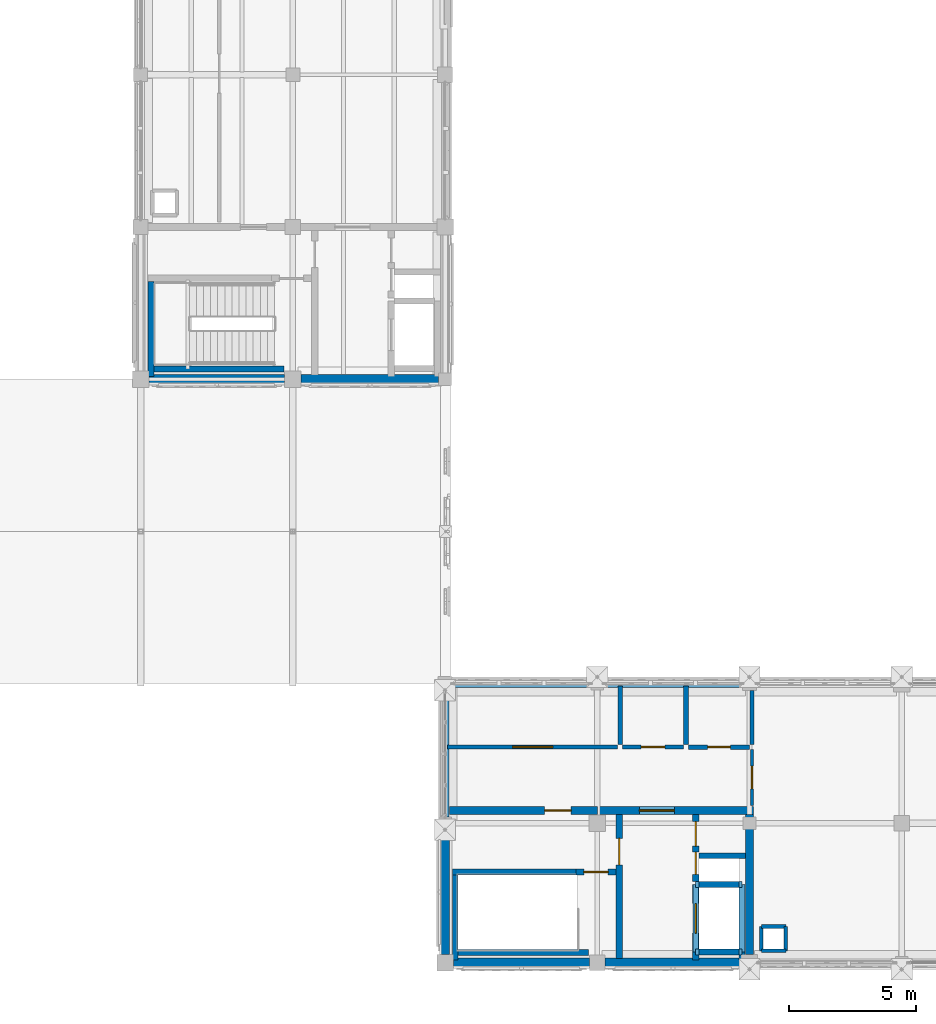
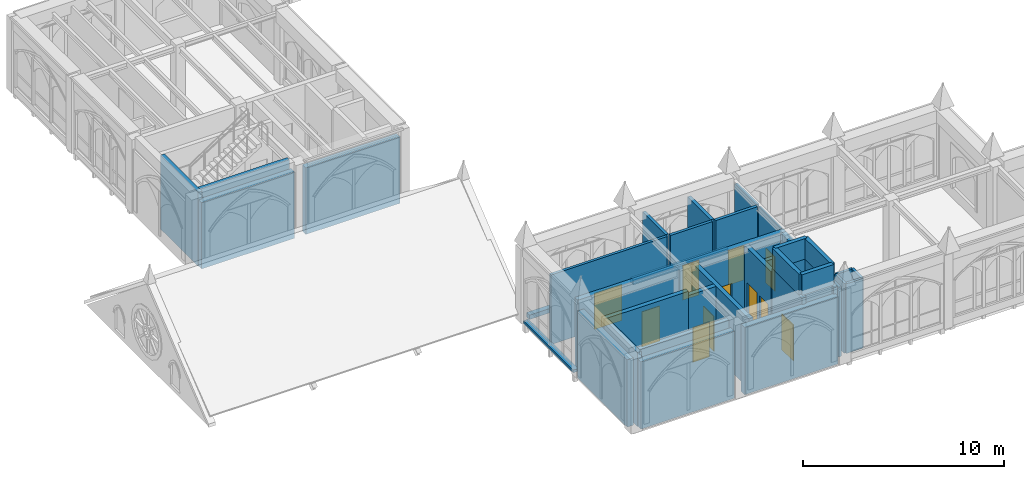
# One storey, part 101 of 143: 39 walls, 11 doors, 11 openings.
"""IFC4 building model written with IfcOpenShell, lengths in metres."""

from ifc_helpers import new_model, si_unit, direction, frame, frame_2d, origin, place, context, subcontext, project, spatial, rectangle, extrude, material, layer, layer_set, type_object, element, fill, save


model = new_model("IFC4")

# Units and contexts
model_context = context("Model", 3, precision=1e-05, world=origin(), true_north=direction((0.0, 1.0)))
body_context = subcontext(model_context, "Body", "Model", "MODEL_VIEW")
ifc_project = project(units=[si_unit("LENGTHUNIT", "METRE"), si_unit("AREAUNIT", "SQUARE_METRE"), si_unit("VOLUMEUNIT", "CUBIC_METRE"), si_unit("PLANEANGLEUNIT", "RADIAN"), si_unit("MASSUNIT", "GRAM", prefix="KILO")], contexts=[model_context])

# Site, building, storey
site_placement = place(None, origin())
site = spatial("IfcSite", under=ifc_project, at=site_placement, CompositionType="ELEMENT")
building_placement = place(site_placement, origin())
building = spatial("IfcBuilding", under=site, at=building_placement, Name="Cumevento Cable Car Station", CompositionType="ELEMENT")
storey_placement = place(building_placement, frame((0.0, 0.0, 9.0)))
storey = spatial("IfcBuildingStorey", under=building, at=storey_placement, Name="L03", CompositionType="ELEMENT", Elevation=9.0)

# Walls
ifc_material_1 = material(Name="Gnaisse Facoidal Stone Ashlar 85 MPa", Category="masonry")
ifc_layer_1 = layer(ifc_material_1, 0.294921875)
ifc_layer_set_1 = layer_set([ifc_layer_1], Name="Gnaisse Facoidal Stone Ashlar 85 MPa")
wall_type_1 = type_object("IfcWallType", Name="Exterior Envelope Wall EW-295 295", PredefinedType="SOLIDWALL", material=ifc_layer_set_1)
wall_1_placement = place(storey_placement, frame((22.27490234375, 15.0, 0.0), z_axis=(0.0, 0.0, 1.0), x_axis=(1.0, 0.0, 0.0)))
element("IfcWall", 1, at=wall_1_placement, inside=storey, type_object=wall_type_1, Name="Exterior Sill Curb Wall EW-295 L03 #180", PredefinedType="SOLIDWALL", context=body_context, shape_type="SweptSolid", body=[
    extrude(rectangle(XDim=5.47509765625, YDim=0.294921875, at=frame_2d((2.737548828125, 0.0))), origin(), (0.0, 0.0, 1.0), 0.260009765625),
])
wall_2_placement = place(storey_placement, frame((28.25, 15.0, 0.0), z_axis=(0.0, 0.0, 1.0), x_axis=(1.0, 0.0, 0.0)))
element("IfcWall", 2, at=wall_2_placement, inside=storey, type_object=wall_type_1, Name="Exterior Sill Curb Wall EW-295 L03 #182", PredefinedType="SOLIDWALL", context=body_context, shape_type="SweptSolid", body=[
    extrude(rectangle(XDim=5.47509765625, YDim=0.294921875, at=frame_2d((2.737548828125, 0.0))), origin(), (0.0, 0.0, 1.0), 0.31005859375),
])
wall_3_placement = place(storey_placement, frame((22.0, 9.75, 0.0), z_axis=(0.0, 0.0, 1.0), x_axis=(0.0, 1.0, 0.0)))
element("IfcWall", 3, at=wall_3_placement, inside=storey, type_object=wall_type_1, Name="Exterior Sill Curb Wall EW-295 L03 #188", PredefinedType="SOLIDWALL", context=body_context, shape_type="SweptSolid", body=[
    extrude(rectangle(XDim=4.97509765625, YDim=0.294921875, at=frame_2d((2.487548828125, 0.0))), origin(), (0.0, 0.0, 1.0), 0.159912109375),
])
ifc_material_2 = material(Name="Concrete C40/50", Category="concrete")
ifc_layer_2 = layer(ifc_material_2, 0.35498046875)
ifc_layer_set_2 = layer_set([ifc_layer_2], Name="Concrete C40/50")
wall_type_2 = type_object("IfcWallType", Name="Exterior Envelope Wall EW-355 355", PredefinedType="SOLIDWALL", material=ifc_layer_set_2)
for number, where, z_axis, x_axis, name in (
    (4, (27.699951171875, 4.0, 0.0), (0.0, 0.0, 1.0), (-1.0, 0.0, 0.0), "Exterior Wall EW-355 L03 #179"),
    (5, (33.675048828125, 4.0, 0.0), (0.0, 0.0, 1.0), (-1.0, 0.0, 0.0), "Exterior Wall EW-355 L03 #181"),
):
    element("IfcWall", number, at=place(storey_placement, frame(where, z_axis=z_axis, x_axis=x_axis)), inside=storey, type_object=wall_type_2, Name=name, PredefinedType="SOLIDWALL", context=body_context, shape_type="SweptSolid", body=[
        extrude(rectangle(XDim=5.375, YDim=0.35498046875, at=frame_2d((2.6875, 0.0))), origin(), (0.0, 0.0, 1.0), 4.093017578125),
    ])
wall_4_placement = place(storey_placement, frame((22.0, 4.324951171875, 0.0), z_axis=(0.0, 0.0, 1.0), x_axis=(0.0, 1.0, 0.0)))
element("IfcWall", 6, at=wall_4_placement, inside=storey, type_object=wall_type_2, Name="Exterior Wall EW-355 L03 #187", PredefinedType="SOLIDWALL", context=body_context, shape_type="SweptSolid", body=[
    extrude(rectangle(XDim=4.925048828125, YDim=0.35498046875, at=frame_2d((2.46240234375, 0.0))), origin(), (0.0, 0.0, 1.0), 4.093017578125),
])
wall_5_placement = place(storey_placement, frame((15.675048828125, 27.0, 0.0), z_axis=(0.0, 0.0, 1.0), x_axis=(-1.0, 0.0, 0.0)))
element("IfcWall", 7, at=wall_5_placement, inside=storey, type_object=wall_type_2, Name="Exterior Wall EW-355 L03 #215", PredefinedType="SOLIDWALL", context=body_context, shape_type="SweptSolid", body=[
    extrude(rectangle(XDim=5.35009765625, YDim=0.35498046875, at=frame_2d((2.675048828125, 0.0))), origin(), (0.0, 0.0, 1.0), 4.033935546875),
])
wall_6_placement = place(storey_placement, frame((21.75, 27.0, 0.0), z_axis=(0.0, 0.0, 1.0), x_axis=(-1.0, 0.0, 0.0)))
element("IfcWall", 8, at=wall_6_placement, inside=storey, type_object=wall_type_2, Name="Exterior Wall EW-355 L03 #216", PredefinedType="SOLIDWALL", context=body_context, shape_type="SweptSolid", body=[
    extrude(rectangle(XDim=5.425048828125, YDim=0.35498046875, at=frame_2d((2.71240234375, 0.0))), origin(), (0.0, 0.0, 1.0), 4.048095703125),
])

# Wall, opening, door
ifc_material_3 = material(Name="Gypsum Board & Insulated Stud Partition", Category="gypsum")
ifc_layer_3 = layer(ifc_material_3, 0.135009765625)
ifc_layer_set_3 = layer_set([ifc_layer_3], Name="Gypsum Board & Insulated Stud Partition")
wall_type_3 = type_object("IfcWallType", Name="Interior Partition PT-135 135", PredefinedType="PARTITIONING", material=ifc_layer_set_3)
wall_7_placement = place(storey_placement, frame((34.10009765625, 10.199951171875, 0.0), z_axis=(0.0, 0.0, 1.0), x_axis=(0.0, 1.0, 0.0)))
wall_7 = element("IfcWall", 9, at=wall_7_placement, inside=storey, type_object=wall_type_3, Name="Interior Wall PT-135 L03 #627", PredefinedType="PARTITIONING", context=body_context, shape_type="SweptSolid", body=[
    extrude(rectangle(XDim=2.199951171875, YDim=0.135009765625, at=frame_2d((1.10009765625, 0.0))), origin(), (0.0, 0.0, 1.0), 4.239990234375),
])
opening_1_placement = place(wall_7_placement, frame((0.64990234375, 0.0, 0.0)))
opening_1 = element("IfcOpeningElement", 10, at=opening_1_placement, cuts=wall_7, Name="Opening DR-L03-231", PredefinedType="OPENING", context=body_context, shape_type="SweptSolid", body=[
    extrude(rectangle(XDim=0.89990234375, YDim=2.10009765625, at=frame_2d((0.449951171875, 1.050048828125))), frame((0.0, 0.077392578125, 0.0), z_axis=(0.0, -1.0, 0.0), x_axis=(1.0, 0.0, 0.0)), (0.0, 0.0, 1.0), 0.155029296875),
])
ifc_material_4 = material(Name="Hardwood Ipe Timber Door Leaf", Category="wood")
door_type_1 = type_object("IfcDoorType", Name="Interior Door ID-02 900x2100", OperationType="NOTDEFINED", PredefinedType="DOOR", material=ifc_material_4)
door_1_placement = place(opening_1_placement, origin())
door_1 = element("IfcDoor", 11, at=door_1_placement, inside=storey, type_object=door_type_1, Name="Interior Door DR-L03-231 (ID-02)", OperationType="SINGLE_SWING_LEFT", OverallHeight=2.10009765625, OverallWidth=0.89990234375, PredefinedType="DOOR", context=body_context, shape_type="SweptSolid", body=[
    extrude(rectangle(XDim=0.89990234375, YDim=2.10009765625, at=frame_2d((0.449951171875, 1.050048828125))), frame((0.0, 0.02490234375, 0.0), z_axis=(0.0, -1.0, 0.0), x_axis=(1.0, 0.0, 0.0)), (0.0, 0.0, 1.0), 0.050048828125),
])
fill(opening_1, door_1)

# Walls
ifc_material_5 = material(Name="Gypsum Board & Insulated Stud Partition", Category="gypsum")
ifc_layer_4 = layer(ifc_material_5, 0.14501953125)
ifc_layer_set_4 = layer_set([ifc_layer_4], Name="Gypsum Board & Insulated Stud Partition")
wall_type_4 = type_object("IfcWallType", Name="Interior Partition PT-145 145", PredefinedType="PARTITIONING", material=ifc_layer_set_4)
for number, where, z_axis, x_axis, name in (
    (12, (34.469970703125, 4.469970703125, 0.0), (0.0, 0.0, 1.0), (1.0, 0.0, 0.0), "Interior Wall PT-145 L03 #5"),
    (13, (35.429931640625, 4.469970703125, 0.0), (0.0, 0.0, 1.0), (0.0, 1.0, 0.0), "Interior Wall PT-145 L03 #6"),
    (14, (35.429931640625, 5.429931640625, 0.0), (0.0, 0.0, 1.0), (-1.0, 0.0, 0.0), "Interior Wall PT-145 L03 #7"),
    (15, (34.469970703125, 5.429931640625, 0.0), (0.0, 0.0, 1.0), (0.0, -1.0, 0.0), "Interior Wall PT-145 L03 #8"),
):
    element("IfcWall", number, at=place(storey_placement, frame(where, z_axis=z_axis, x_axis=x_axis)), inside=storey, type_object=wall_type_4, Name=name, PredefinedType="PARTITIONING", context=body_context, shape_type="SweptSolid", body=[
        extrude(rectangle(XDim=0.9599609375, YDim=0.14501953125, at=frame_2d((0.47998046875, 0.0))), origin(), (0.0, 0.0, 1.0), 4.239990234375),
    ])

# Wall, opening, door
ifc_material_6 = material(Name="Gypsum Board & Insulated Stud Partition", Category="gypsum")
ifc_layer_5 = layer(ifc_material_6, 0.155029296875)
ifc_layer_set_5 = layer_set([ifc_layer_5], Name="Gypsum Board & Insulated Stud Partition")
wall_type_5 = type_object("IfcWallType", Name="Interior Partition PT-155 155", PredefinedType="PARTITIONING", material=ifc_layer_set_5)
wall_8_placement = place(storey_placement, frame((22.10595703125, 12.5, 0.0), z_axis=(0.0, 0.0, 1.0), x_axis=(1.0, 0.0, 0.0)))
wall_8 = element("IfcWall", 16, at=wall_8_placement, inside=storey, type_object=wall_type_5, Name="Interior Wall PT-155 L03 #630", PredefinedType="PARTITIONING", context=body_context, shape_type="SweptSolid", body=[
    extrude(rectangle(XDim=6.694091796875, YDim=0.155029296875, at=frame_2d((3.34716796875, 0.0))), origin(), (0.0, 0.0, 1.0), 4.239990234375),
])
opening_2_placement = place(wall_8_placement, frame((2.556884765625, 0.0, 0.0)))
opening_2 = element("IfcOpeningElement", 17, at=opening_2_placement, cuts=wall_8, Name="Opening DR-L03-233", PredefinedType="OPENING", context=body_context, shape_type="SweptSolid", body=[
    extrude(rectangle(XDim=1.580078125, YDim=2.199951171875, at=frame_2d((0.7900390625, 1.10009765625))), frame((0.0, 0.087646484375, 0.0), z_axis=(0.0, -1.0, 0.0), x_axis=(1.0, 0.0, 0.0)), (0.0, 0.0, 1.0), 0.175048828125),
])
ifc_material_7 = material(Name="Galvanised Painted Steel Fire Door", Category="steel")
door_type_2 = type_object("IfcDoorType", Name="Interior Door FD-06 1580x2200", OperationType="NOTDEFINED", PredefinedType="DOOR", material=ifc_material_7)
door_2_placement = place(opening_2_placement, origin())
door_2 = element("IfcDoor", 18, at=door_2_placement, inside=storey, type_object=door_type_2, Name="Interior Door DR-L03-233 (FD-06)", OperationType="DOUBLE_DOOR_SINGLE_SWING", OverallHeight=2.199951171875, OverallWidth=1.580078125, PredefinedType="DOOR", context=body_context, shape_type="SweptSolid", body=[
    extrude(rectangle(XDim=1.580078125, YDim=2.199951171875, at=frame_2d((0.7900390625, 1.10009765625))), frame((0.0, 0.02490234375, 0.0), z_axis=(0.0, -1.0, 0.0), x_axis=(1.0, 0.0, 0.0)), (0.0, 0.0, 1.0), 0.050048828125),
])
fill(opening_2, door_2)

# Wall
ifc_material_8 = material(Name="Gypsum Board & Insulated Stud Partition", Category="gypsum")
ifc_layer_6 = layer(ifc_material_8, 0.1650390625)
ifc_layer_set_6 = layer_set([ifc_layer_6], Name="Gypsum Board & Insulated Stud Partition")
wall_type_6 = type_object("IfcWallType", Name="Interior Partition PT-165 165", PredefinedType="PARTITIONING", material=ifc_layer_set_6)
wall_9_placement = place(storey_placement, frame((34.10009765625, 12.60009765625, 0.0), z_axis=(0.0, 0.0, 1.0), x_axis=(0.0, 1.0, 0.0)))
element("IfcWall", 19, at=wall_9_placement, inside=storey, type_object=wall_type_6, Name="Interior Wall PT-165 L03 #628", PredefinedType="PARTITIONING", context=body_context, shape_type="SweptSolid", body=[
    extrude(rectangle(XDim=2.122802734375, YDim=0.1650390625, at=frame_2d((1.0615234375, 0.0))), origin(), (0.0, 0.0, 1.0), 4.239990234375),
])

# Wall, opening, door
wall_10_placement = place(storey_placement, frame((29.0, 12.5, 0.0), z_axis=(0.0, 0.0, 1.0), x_axis=(1.0, 0.0, 0.0)))
wall_10 = element("IfcWall", 20, at=wall_10_placement, inside=storey, type_object=wall_type_6, Name="Interior Wall PT-165 L03 #631", PredefinedType="PARTITIONING", context=body_context, shape_type="SweptSolid", body=[
    extrude(rectangle(XDim=2.39990234375, YDim=0.1650390625, at=frame_2d((1.199951171875, 0.0))), origin(), (0.0, 0.0, 1.0), 4.239990234375),
])
opening_3_placement = place(wall_10_placement, frame((0.72998046875, 0.0, 0.0)))
opening_3 = element("IfcOpeningElement", 21, at=opening_3_placement, cuts=wall_10, Name="Opening DR-L03-234", PredefinedType="OPENING", context=body_context, shape_type="SweptSolid", body=[
    extrude(rectangle(XDim=0.93994140625, YDim=2.10009765625, at=frame_2d((0.469970703125, 1.050048828125))), frame((0.0, 0.092529296875, 0.0), z_axis=(0.0, -1.0, 0.0), x_axis=(1.0, 0.0, 0.0)), (0.0, 0.0, 1.0), 0.18505859375),
])
ifc_material_9 = material(Name="Galvanised Painted Steel Fire Door", Category="steel")
door_type_3 = type_object("IfcDoorType", Name="Interior Door FD-08 940x2100", OperationType="NOTDEFINED", PredefinedType="DOOR", material=ifc_material_9)
door_3_placement = place(opening_3_placement, origin())
door_3 = element("IfcDoor", 22, at=door_3_placement, inside=storey, type_object=door_type_3, Name="Interior Door DR-L03-234 (FD-08)", OperationType="SINGLE_SWING_LEFT", OverallHeight=2.10009765625, OverallWidth=0.93994140625, PredefinedType="DOOR", context=body_context, shape_type="SweptSolid", body=[
    extrude(rectangle(XDim=0.93994140625, YDim=2.10009765625, at=frame_2d((0.469970703125, 1.050048828125))), frame((0.0, 0.02490234375, 0.0), z_axis=(0.0, -1.0, 0.0), x_axis=(1.0, 0.0, 0.0)), (0.0, 0.0, 1.0), 0.050048828125),
])
fill(opening_3, door_3)

ifc_material_10 = material(Name="Moisture-Resistant Tile & Stud Partition", Category="gypsum")
ifc_layer_7 = layer(ifc_material_10, 0.175048828125)
ifc_layer_set_7 = layer_set([ifc_layer_7], Name="Moisture-Resistant Tile & Stud Partition")
wall_type_7 = type_object("IfcWallType", Name="Interior Partition PT-175 175", PredefinedType="PARTITIONING", material=ifc_layer_set_7)
wall_11_placement = place(storey_placement, frame((31.60009765625, 12.5, 0.0), z_axis=(0.0, 0.0, 1.0), x_axis=(1.0, 0.0, 0.0)))
wall_11 = element("IfcWall", 23, at=wall_11_placement, inside=storey, type_object=wall_type_7, Name="Interior Wall PT-175 L03 #632", PredefinedType="PARTITIONING", context=body_context, shape_type="SweptSolid", body=[
    extrude(rectangle(XDim=2.39990234375, YDim=0.175048828125, at=frame_2d((1.199951171875, 0.0))), origin(), (0.0, 0.0, 1.0), 4.239990234375),
])
opening_4_placement = place(wall_11_placement, frame((0.75, 0.0, 0.0)))
opening_4 = element("IfcOpeningElement", 24, at=opening_4_placement, cuts=wall_11, Name="Opening DR-L03-235", PredefinedType="OPENING", context=body_context, shape_type="SweptSolid", body=[
    extrude(rectangle(XDim=0.89990234375, YDim=2.10009765625, at=frame_2d((0.449951171875, 1.050048828125))), frame((0.0, 0.097412109375, 0.0), z_axis=(0.0, -1.0, 0.0), x_axis=(1.0, 0.0, 0.0)), (0.0, 0.0, 1.0), 0.195068359375),
])
door_4_placement = place(opening_4_placement, origin())
door_4 = element("IfcDoor", 25, at=door_4_placement, inside=storey, type_object=door_type_1, Name="Interior Door DR-L03-235 (ID-02)", OperationType="SINGLE_SWING_RIGHT", OverallHeight=2.10009765625, OverallWidth=0.89990234375, PredefinedType="DOOR", context=body_context, shape_type="SweptSolid", body=[
    extrude(rectangle(XDim=0.89990234375, YDim=2.10009765625, at=frame_2d((0.449951171875, 1.050048828125))), frame((0.0, 0.02490234375, 0.0), z_axis=(0.0, -1.0, 0.0), x_axis=(1.0, 0.0, 0.0)), (0.0, 0.0, 1.0), 0.050048828125),
])
fill(opening_4, door_4)

# Walls
wall_12_placement = place(storey_placement, frame((28.89990234375, 12.60009765625, 0.0), z_axis=(0.0, 0.0, 1.0), x_axis=(0.0, 1.0, 0.0)))
element("IfcWall", 26, at=wall_12_placement, inside=storey, type_object=wall_type_7, Name="Interior Wall PT-175 L03 #633", PredefinedType="PARTITIONING", context=body_context, shape_type="SweptSolid", body=[
    extrude(rectangle(XDim=2.308837890625, YDim=0.175048828125, at=frame_2d((1.154296875, 0.0))), origin(), (0.0, 0.0, 1.0), 4.239990234375),
])
ifc_material_11 = material(Name="Acoustic Double-Stud Partition", Category="gypsum")
ifc_layer_8 = layer(ifc_material_11, 0.195068359375)
ifc_layer_set_8 = layer_set([ifc_layer_8], Name="Acoustic Double-Stud Partition")
wall_type_8 = type_object("IfcWallType", Name="Interior Partition PT-195 195", PredefinedType="PARTITIONING", material=ifc_layer_set_8)
wall_13_placement = place(storey_placement, frame((31.5, 12.60009765625, 0.0), z_axis=(0.0, 0.0, 1.0), x_axis=(0.0, 1.0, 0.0)))
element("IfcWall", 27, at=wall_13_placement, inside=storey, type_object=wall_type_8, Name="Interior Wall PT-195 L03 #634", PredefinedType="PARTITIONING", context=body_context, shape_type="SweptSolid", body=[
    extrude(rectangle(XDim=2.308837890625, YDim=0.195068359375, at=frame_2d((1.154296875, 0.0))), origin(), (0.0, 0.0, 1.0), 4.239990234375),
])
ifc_material_12 = material(Name="Concrete C40/50", Category="concrete")
ifc_layer_9 = layer(ifc_material_12, 0.22998046875)
ifc_layer_set_9 = layer_set([ifc_layer_9], Name="Concrete C40/50")
wall_type_9 = type_object("IfcWallType", Name="Interior Shear Wall CW-230 230", PredefinedType="SHEAR", material=ifc_layer_set_9)
wall_14_placement = place(storey_placement, frame((31.8798828125, 4.419921875, 4.5), z_axis=(0.0, 0.0, 1.0), x_axis=(1.0, 0.0, 0.0)))
element("IfcWall", 28, at=wall_14_placement, inside=storey, type_object=wall_type_9, Name="Interior Wall CW-230 L03 #217", PredefinedType="SHEAR", context=body_context, shape_type="SweptSolid", body=[
    extrude(rectangle(XDim=1.820068359375, YDim=0.22998046875, at=frame_2d((0.91015625, 0.0))), origin(), (0.0, 0.0, 1.0), 1.25),
])
wall_15_placement = place(storey_placement, frame((33.699951171875, 4.419921875, 4.5), z_axis=(0.0, 0.0, 1.0), x_axis=(0.0, 1.0, 0.0)))
element("IfcWall", 29, at=wall_15_placement, inside=storey, type_object=wall_type_9, Name="Interior Wall CW-230 L03 #218", PredefinedType="SHEAR", context=body_context, shape_type="SweptSolid", body=[
    extrude(rectangle(XDim=2.66015625, YDim=0.22998046875, at=frame_2d((1.330078125, 0.0))), origin(), (0.0, 0.0, 1.0), 1.25),
])
wall_16_placement = place(storey_placement, frame((33.699951171875, 7.080078125, 4.5), z_axis=(0.0, 0.0, 1.0), x_axis=(-1.0, 0.0, 0.0)))
element("IfcWall", 30, at=wall_16_placement, inside=storey, type_object=wall_type_9, Name="Interior Wall CW-230 L03 #219", PredefinedType="SHEAR", context=body_context, shape_type="SweptSolid", body=[
    extrude(rectangle(XDim=1.820068359375, YDim=0.22998046875, at=frame_2d((0.91015625, 0.0))), origin(), (0.0, 0.0, 1.0), 1.25),
])
wall_17_placement = place(storey_placement, frame((31.8798828125, 7.080078125, 4.5), z_axis=(0.0, 0.0, 1.0), x_axis=(0.0, -1.0, 0.0)))
element("IfcWall", 31, at=wall_17_placement, inside=storey, type_object=wall_type_9, Name="Interior Wall CW-230 L03 #220", PredefinedType="SHEAR", context=body_context, shape_type="SweptSolid", body=[
    extrude(rectangle(XDim=2.66015625, YDim=0.22998046875, at=frame_2d((1.330078125, 0.0))), origin(), (0.0, 0.0, 1.0), 1.25),
])
wall_18_placement = place(storey_placement, frame((22.405029296875, 4.114990234375, 0.0), z_axis=(0.0, 0.0, 1.0), x_axis=(0.0, 1.0, 0.0)))
element("IfcWall", 32, at=wall_18_placement, inside=storey, type_object=wall_type_9, Name="Interior Wall CW-230 L03 #252", PredefinedType="SHEAR", context=body_context, shape_type="SweptSolid", body=[
    extrude(rectangle(XDim=3.3349609375, YDim=0.22998046875, at=frame_2d((1.66748046875, 0.0))), origin(), (0.0, 0.0, 1.0), 4.5),
])
wall_19_placement = place(storey_placement, frame((22.52001953125, 4.405029296875, 0.0), z_axis=(0.0, 0.0, 1.0), x_axis=(1.0, 0.0, 0.0)))
element("IfcWall", 33, at=wall_19_placement, inside=storey, type_object=wall_type_9, Name="Interior Wall CW-230 L03 #253", PredefinedType="SHEAR", context=body_context, shape_type="SweptSolid", body=[
    extrude(rectangle(XDim=5.1298828125, YDim=0.22998046875, at=frame_2d((2.56494140625, 0.0))), origin(), (0.0, 0.0, 1.0), 4.5),
])
wall_20_placement = place(storey_placement, frame((32.0048828125, 4.419921875, 0.0), z_axis=(0.0, 0.0, 1.0), x_axis=(1.0, 0.0, 0.0)))
element("IfcWall", 34, at=wall_20_placement, inside=storey, type_object=wall_type_9, Name="Interior Wall CW-230 L03 #258", PredefinedType="SHEAR", context=body_context, shape_type="SweptSolid", body=[
    extrude(rectangle(XDim=1.580078125, YDim=0.22998046875, at=frame_2d((0.7900390625, 0.0))), origin(), (0.0, 0.0, 1.0), 4.5),
])
wall_21_placement = place(storey_placement, frame((33.699951171875, 4.114990234375, 0.0), z_axis=(0.0, 0.0, 1.0), x_axis=(0.0, 1.0, 0.0)))
element("IfcWall", 35, at=wall_21_placement, inside=storey, type_object=wall_type_9, Name="Interior Wall CW-230 L03 #259", PredefinedType="SHEAR", context=body_context, shape_type="SweptSolid", body=[
    extrude(rectangle(XDim=2.965087890625, YDim=0.22998046875, at=frame_2d((1.482421875, 0.0))), origin(), (0.0, 0.0, 1.0), 4.5),
])
wall_22_placement = place(storey_placement, frame((32.0048828125, 7.080078125, 0.0), z_axis=(0.0, 0.0, 1.0), x_axis=(1.0, 0.0, 0.0)))
element("IfcWall", 36, at=wall_22_placement, inside=storey, type_object=wall_type_9, Name="Interior Wall CW-230 L03 #260", PredefinedType="SHEAR", context=body_context, shape_type="SweptSolid", body=[
    extrude(rectangle(XDim=1.580078125, YDim=0.22998046875, at=frame_2d((0.7900390625, 0.0))), origin(), (0.0, 0.0, 1.0), 4.5),
])
wall_23_placement = place(storey_placement, frame((32.0048828125, 8.219970703125, 0.0), z_axis=(0.0, 0.0, 1.0), x_axis=(1.0, 0.0, 0.0)))
element("IfcWall", 37, at=wall_23_placement, inside=storey, type_object=wall_type_9, Name="Interior Wall CW-230 L03 #262", PredefinedType="SHEAR", context=body_context, shape_type="SweptSolid", body=[
    extrude(rectangle(XDim=1.84521484375, YDim=0.22998046875, at=frame_2d((0.922607421875, 0.0))), origin(), (0.0, 0.0, 1.0), 4.239990234375),
])
wall_24_placement = place(storey_placement, frame((10.405029296875, 27.114990234375, 0.0), z_axis=(0.0, 0.0, 1.0), x_axis=(0.0, 1.0, 0.0)))
element("IfcWall", 38, at=wall_24_placement, inside=storey, type_object=wall_type_9, Name="Interior Wall CW-230 L03 #301", PredefinedType="SHEAR", context=body_context, shape_type="SweptSolid", body=[
    extrude(rectangle(XDim=3.735107421875, YDim=0.22998046875, at=frame_2d((1.86767578125, 0.0))), origin(), (0.0, 0.0, 1.0), 4.5),
])
wall_25_placement = place(storey_placement, frame((10.52001953125, 27.405029296875, 0.0), z_axis=(0.0, 0.0, 1.0), x_axis=(1.0, 0.0, 0.0)))
element("IfcWall", 39, at=wall_25_placement, inside=storey, type_object=wall_type_9, Name="Interior Wall CW-230 L03 #302", PredefinedType="SHEAR", context=body_context, shape_type="SweptSolid", body=[
    extrude(rectangle(XDim=5.1298828125, YDim=0.22998046875, at=frame_2d((2.56494140625, 0.0))), origin(), (0.0, 0.0, 1.0), 4.5),
])
ifc_material_13 = material(Name="Concrete C40/50", Category="concrete")
ifc_layer_10 = layer(ifc_material_13, 0.25)
ifc_layer_set_10 = layer_set([ifc_layer_10], Name="Concrete C40/50")
wall_type_10 = type_object("IfcWallType", Name="Interior Shear Wall CW-250 250", PredefinedType="SHEAR", material=ifc_layer_set_10)
wall_26_placement = place(storey_placement, frame((22.2900390625, 7.574951171875, 0.0), z_axis=(0.0, 0.0, 1.0), x_axis=(1.0, 0.0, 0.0)))
element("IfcWall", 40, at=wall_26_placement, inside=storey, type_object=wall_type_10, Name="Interior Wall CW-250 L03 #254", PredefinedType="SHEAR", context=body_context, shape_type="SweptSolid", body=[
    extrude(rectangle(XDim=4.869873046875, YDim=0.25, at=frame_2d((2.43505859375, 0.0))), origin(), (0.0, 0.0, 1.0), 4.5),
])

# Wall, opening, door
wall_27_placement = place(storey_placement, frame((27.159912109375, 7.574951171875, 0.0), z_axis=(0.0, 0.0, 1.0), x_axis=(1.0, 0.0, 0.0)))
wall_27 = element("IfcWall", 41, at=wall_27_placement, inside=storey, type_object=wall_type_10, Name="Interior Wall CW-250 L03 #255", PredefinedType="SHEAR", context=body_context, shape_type="SweptSolid", body=[
    extrude(rectangle(XDim=1.580078125, YDim=0.25, at=frame_2d((0.7900390625, 0.0))), origin(), (0.0, 0.0, 1.0), 4.239990234375),
])
opening_5_placement = place(wall_27_placement, frame((0.31005859375, 0.0, 0.0)))
opening_5 = element("IfcOpeningElement", 42, at=opening_5_placement, cuts=wall_27, Name="Opening DR-L03-060", PredefinedType="OPENING", context=body_context, shape_type="SweptSolid", body=[
    extrude(rectangle(XDim=0.9599609375, YDim=2.1201171875, at=frame_2d((0.47998046875, 1.06005859375))), frame((0.0, 0.135009765625, 0.0), z_axis=(0.0, -1.0, 0.0), x_axis=(1.0, 0.0, 0.0)), (0.0, 0.0, 1.0), 0.27001953125),
])
ifc_material_14 = material(Name="Galvanised Painted Steel Fire Door", Category="steel")
door_type_4 = type_object("IfcDoorType", Name="Interior Door FD-01 960x2120", OperationType="NOTDEFINED", PredefinedType="DOOR", material=ifc_material_14)
door_5_placement = place(opening_5_placement, origin())
door_5 = element("IfcDoor", 43, at=door_5_placement, inside=storey, type_object=door_type_4, Name="Stair ST-02 Enclosure Door L03", OperationType="SINGLE_SWING_RIGHT", OverallHeight=2.1201171875, OverallWidth=0.9599609375, PredefinedType="DOOR", context=body_context, shape_type="SweptSolid", body=[
    extrude(rectangle(XDim=0.9599609375, YDim=2.1201171875, at=frame_2d((0.47998046875, 1.06005859375))), frame((0.0, 0.02490234375, 0.0), z_axis=(0.0, -1.0, 0.0), x_axis=(1.0, 0.0, 0.0)), (0.0, 0.0, 1.0), 0.050048828125),
])
fill(opening_5, door_5)

wall_28_placement = place(storey_placement, frame((28.864990234375, 4.175048828125, 0.0), z_axis=(0.0, 0.0, 1.0), x_axis=(0.0, 1.0, 0.0)))
wall_28 = element("IfcWall", 44, at=wall_28_placement, inside=storey, type_object=wall_type_10, Name="Interior Wall CW-250 L03 #256", PredefinedType="SHEAR", context=body_context, shape_type="SweptSolid", body=[
    extrude(rectangle(XDim=5.675048828125, YDim=0.25, at=frame_2d((2.83740234375, 0.0))), origin(), (0.0, 0.0, 1.0), 4.239990234375),
])
opening_6_placement = place(wall_28_placement, frame((3.68505859375, 0.0, 0.0)))
opening_6 = element("IfcOpeningElement", 45, at=opening_6_placement, cuts=wall_28, Name="Opening DR-L03-061", PredefinedType="OPENING", context=body_context, shape_type="SweptSolid", body=[
    extrude(rectangle(XDim=1.0400390625, YDim=2.139892578125, at=frame_2d((0.52001953125, 1.06982421875))), frame((0.0, 0.135009765625, 0.0), z_axis=(0.0, -1.0, 0.0), x_axis=(1.0, 0.0, 0.0)), (0.0, 0.0, 1.0), 0.27001953125),
])
ifc_material_15 = material(Name="Galvanised Painted Steel Fire Door", Category="steel")
door_type_5 = type_object("IfcDoorType", Name="Interior Door FD-02 1040x2140", OperationType="NOTDEFINED", PredefinedType="DOOR", material=ifc_material_15)
door_6_placement = place(opening_6_placement, origin())
door_6 = element("IfcDoor", 46, at=door_6_placement, inside=storey, type_object=door_type_5, Name="Lobby Vestibule Door CORE2 L03", OperationType="SINGLE_SWING_LEFT", OverallHeight=2.139892578125, OverallWidth=1.0400390625, PredefinedType="DOOR", context=body_context, shape_type="SweptSolid", body=[
    extrude(rectangle(XDim=1.0400390625, YDim=2.139892578125, at=frame_2d((0.52001953125, 1.06982421875))), frame((0.0, 0.02490234375, 0.0), z_axis=(0.0, -1.0, 0.0), x_axis=(1.0, 0.0, 0.0)), (0.0, 0.0, 1.0), 0.050048828125),
])
fill(opening_6, door_6)

wall_29_placement = place(storey_placement, frame((31.8798828125, 4.114990234375, 0.0), z_axis=(0.0, 0.0, 1.0), x_axis=(0.0, 1.0, 0.0)))
wall_29 = element("IfcWall", 47, at=wall_29_placement, inside=storey, type_object=wall_type_10, Name="Interior Wall CW-250 L03 #257", PredefinedType="SHEAR", context=body_context, shape_type="SweptSolid", body=[
    extrude(rectangle(XDim=2.965087890625, YDim=0.25, at=frame_2d((1.482421875, 0.0))), origin(), (0.0, 0.0, 1.0), 4.5),
])
opening_7_placement = place(wall_29_placement, frame((1.054931640625, 0.0, 0.0)))
opening_7 = element("IfcOpeningElement", 48, at=opening_7_placement, cuts=wall_29, Name="Opening LD-LF02-L03", PredefinedType="OPENING", context=body_context, shape_type="SweptSolid", body=[
    extrude(rectangle(XDim=1.159912109375, YDim=2.179931640625, at=frame_2d((0.580078125, 1.08984375))), frame((0.0, 0.135009765625, 0.0), z_axis=(0.0, -1.0, 0.0), x_axis=(1.0, 0.0, 0.0)), (0.0, 0.0, 1.0), 0.27001953125),
])
ifc_material_16 = material(Name="Brushed Stainless Steel Lift Door", Category="steel")
door_type_6 = type_object("IfcDoorType", Name="Interior Door LD-02 1160x2180", OperationType="NOTDEFINED", PredefinedType="DOOR", material=ifc_material_16)
door_7_placement = place(opening_7_placement, origin())
door_7 = element("IfcDoor", 49, at=door_7_placement, inside=storey, type_object=door_type_6, Name="Lift Landing Door LD-LF02-L03", OperationType="DOUBLE_DOOR_SLIDING", OverallHeight=2.179931640625, OverallWidth=1.159912109375, PredefinedType="DOOR", context=body_context, shape_type="SweptSolid", body=[
    extrude(rectangle(XDim=1.159912109375, YDim=2.179931640625, at=frame_2d((0.580078125, 1.08984375))), frame((0.0, 0.02490234375, 0.0), z_axis=(0.0, -1.0, 0.0), x_axis=(1.0, 0.0, 0.0)), (0.0, 0.0, 1.0), 0.050048828125),
])
fill(opening_7, door_7)

# Wall, openings, doors
wall_30_placement = place(storey_placement, frame((31.8798828125, 7.199951171875, 0.0), z_axis=(0.0, 0.0, 1.0), x_axis=(0.0, 1.0, 0.0)))
wall_30 = element("IfcWall", 50, at=wall_30_placement, inside=storey, type_object=wall_type_10, Name="Interior Wall CW-250 L03 #261", PredefinedType="SHEAR", context=body_context, shape_type="SweptSolid", body=[
    extrude(rectangle(XDim=2.650146484375, YDim=0.25, at=frame_2d((1.3251953125, 0.0))), origin(), (0.0, 0.0, 1.0), 4.239990234375),
])
opening_8_placement = place(wall_30_placement, frame((0.280029296875, 0.0, 0.0)))
opening_8 = element("IfcOpeningElement", 51, at=opening_8_placement, cuts=wall_30, Name="Opening DR-L03-063", PredefinedType="OPENING", context=body_context, shape_type="SweptSolid", body=[
    extrude(rectangle(XDim=0.8798828125, YDim=2.080078125, at=frame_2d((0.43994140625, 1.0400390625))), frame((0.0, 0.135009765625, 0.0), z_axis=(0.0, -1.0, 0.0), x_axis=(1.0, 0.0, 0.0)), (0.0, 0.0, 1.0), 0.27001953125),
])
opening_9_placement = place(wall_30_placement, frame((1.39990234375, 0.0, 0.0)))
opening_9 = element("IfcOpeningElement", 52, at=opening_9_placement, cuts=wall_30, Name="Opening DR-L03-064", PredefinedType="OPENING", context=body_context, shape_type="SweptSolid", body=[
    extrude(rectangle(XDim=0.9599609375, YDim=2.1201171875, at=frame_2d((0.47998046875, 1.06005859375))), frame((0.0, 0.135009765625, 0.0), z_axis=(0.0, -1.0, 0.0), x_axis=(1.0, 0.0, 0.0)), (0.0, 0.0, 1.0), 0.27001953125),
])
door_8_placement = place(opening_9_placement, origin())
door_8 = element("IfcDoor", 53, at=door_8_placement, inside=storey, type_object=door_type_4, Name="East Vestibule Lobby Door CORE2 L03", OperationType="SINGLE_SWING_LEFT", OverallHeight=2.1201171875, OverallWidth=0.9599609375, PredefinedType="DOOR", context=body_context, shape_type="SweptSolid", body=[
    extrude(rectangle(XDim=0.9599609375, YDim=2.1201171875, at=frame_2d((0.47998046875, 1.06005859375))), frame((0.0, 0.02490234375, 0.0), z_axis=(0.0, -1.0, 0.0), x_axis=(1.0, 0.0, 0.0)), (0.0, 0.0, 1.0), 0.050048828125),
])
fill(opening_9, door_8)
ifc_material_17 = material(Name="Galvanised Painted Steel Fire Door", Category="steel")
door_type_7 = type_object("IfcDoorType", Name="Interior Door FD-07 880x2080", OperationType="NOTDEFINED", PredefinedType="DOOR", material=ifc_material_17)
door_9_placement = place(opening_8_placement, origin())
door_9 = element("IfcDoor", 54, at=door_9_placement, inside=storey, type_object=door_type_7, Name="MEP Riser Access Door CORE2 L03", OperationType="SINGLE_SWING_RIGHT", OverallHeight=2.080078125, OverallWidth=0.8798828125, PredefinedType="DOOR", context=body_context, shape_type="SweptSolid", body=[
    extrude(rectangle(XDim=0.8798828125, YDim=2.080078125, at=frame_2d((0.43994140625, 1.0400390625))), frame((0.0, 0.02490234375, 0.0), z_axis=(0.0, -1.0, 0.0), x_axis=(1.0, 0.0, 0.0)), (0.0, 0.0, 1.0), 0.050048828125),
])
fill(opening_8, door_9)

# Wall, opening, door
ifc_material_18 = material(Name="Concrete C40/50", Category="concrete")
ifc_layer_11 = layer(ifc_material_18, 0.300048828125)
ifc_layer_set_11 = layer_set([ifc_layer_11], Name="Concrete C40/50")
wall_type_11 = type_object("IfcWallType", Name="Interior Shear Wall CW-300 300", PredefinedType="SHEAR", material=ifc_layer_set_11)
wall_31_placement = place(storey_placement, frame((22.175048828125, 10.0, 0.0), z_axis=(0.0, 0.0, 1.0), x_axis=(1.0, 0.0, 0.0)))
wall_31 = element("IfcWall", 55, at=wall_31_placement, inside=storey, type_object=wall_type_11, Name="Interior Wall CW-300 L03 #249", PredefinedType="SHEAR", context=body_context, shape_type="SweptSolid", body=[
    extrude(rectangle(XDim=5.824951171875, YDim=0.300048828125, at=frame_2d((2.91259765625, 0.0))), origin(), (0.0, 0.0, 1.0), 4.239990234375),
])
opening_10_placement = place(wall_31_placement, frame((3.7548828125, 0.0, 0.0)))
opening_10 = element("IfcOpeningElement", 56, at=opening_10_placement, cuts=wall_31, Name="Opening DR-L03-058", PredefinedType="OPENING", context=body_context, shape_type="SweptSolid", body=[
    extrude(rectangle(XDim=1.0400390625, YDim=2.139892578125, at=frame_2d((0.52001953125, 1.06982421875))), frame((0.0, 0.159912109375, 0.0), z_axis=(0.0, -1.0, 0.0), x_axis=(1.0, 0.0, 0.0)), (0.0, 0.0, 1.0), 0.320068359375),
])
door_10_placement = place(opening_10_placement, origin())
door_10 = element("IfcDoor", 57, at=door_10_placement, inside=storey, type_object=door_type_5, Name="Core CORE2 N_vest Fire Door L03", OperationType="SINGLE_SWING_LEFT", OverallHeight=2.139892578125, OverallWidth=1.0400390625, PredefinedType="DOOR", context=body_context, shape_type="SweptSolid", body=[
    extrude(rectangle(XDim=1.0400390625, YDim=2.139892578125, at=frame_2d((0.52001953125, 1.06982421875))), frame((0.0, 0.02490234375, 0.0), z_axis=(0.0, -1.0, 0.0), x_axis=(1.0, 0.0, 0.0)), (0.0, 0.0, 1.0), 0.050048828125),
])
fill(opening_10, door_10)

wall_32_placement = place(storey_placement, frame((28.0, 10.0, 0.0), z_axis=(0.0, 0.0, 1.0), x_axis=(1.0, 0.0, 0.0)))
wall_32 = element("IfcWall", 58, at=wall_32_placement, inside=storey, type_object=wall_type_11, Name="Interior Wall CW-300 L03 #250", PredefinedType="SHEAR", context=body_context, shape_type="SweptSolid", body=[
    extrude(rectangle(XDim=6.14990234375, YDim=0.300048828125, at=frame_2d((3.074951171875, 0.0))), origin(), (0.0, 0.0, 1.0), 4.239990234375),
])
opening_11_placement = place(wall_32_placement, frame((1.659912109375, 0.0, 0.0)))
opening_11 = element("IfcOpeningElement", 59, at=opening_11_placement, cuts=wall_32, Name="Opening DR-L03-059", PredefinedType="OPENING", context=body_context, shape_type="SweptSolid", body=[
    extrude(rectangle(XDim=1.3798828125, YDim=2.159912109375, at=frame_2d((0.68994140625, 1.080078125))), frame((0.0, 0.159912109375, 0.0), z_axis=(0.0, -1.0, 0.0), x_axis=(1.0, 0.0, 0.0)), (0.0, 0.0, 1.0), 0.320068359375),
])
ifc_material_19 = material(Name="Galvanised Painted Steel Fire Door", Category="steel")
door_type_8 = type_object("IfcDoorType", Name="Interior Door FD-04 1380x2160", OperationType="NOTDEFINED", PredefinedType="DOOR", material=ifc_material_19)
door_11_placement = place(opening_11_placement, origin())
door_11 = element("IfcDoor", 60, at=door_11_placement, inside=storey, type_object=door_type_8, Name="Core CORE2 N_lobby Fire Door L03", OperationType="DOUBLE_DOOR_SINGLE_SWING", OverallHeight=2.159912109375, OverallWidth=1.3798828125, PredefinedType="DOOR", context=body_context, shape_type="SweptSolid", body=[
    extrude(rectangle(XDim=1.3798828125, YDim=2.159912109375, at=frame_2d((0.68994140625, 1.080078125))), frame((0.0, 0.02490234375, 0.0), z_axis=(0.0, -1.0, 0.0), x_axis=(1.0, 0.0, 0.0)), (0.0, 0.0, 1.0), 0.050048828125),
])
fill(opening_11, door_11)

# Wall
wall_33_placement = place(storey_placement, frame((34.0, 4.324951171875, 0.0), z_axis=(0.0, 0.0, 1.0), x_axis=(0.0, 1.0, 0.0)))
element("IfcWall", 61, at=wall_33_placement, inside=storey, type_object=wall_type_11, Name="Interior Wall CW-300 L03 #251", PredefinedType="SHEAR", context=body_context, shape_type="SweptSolid", body=[
    extrude(rectangle(XDim=5.525146484375, YDim=0.300048828125, at=frame_2d((2.7626953125, 0.0))), origin(), (0.0, 0.0, 1.0), 4.239990234375),
])

save(model, "model.ifc")
